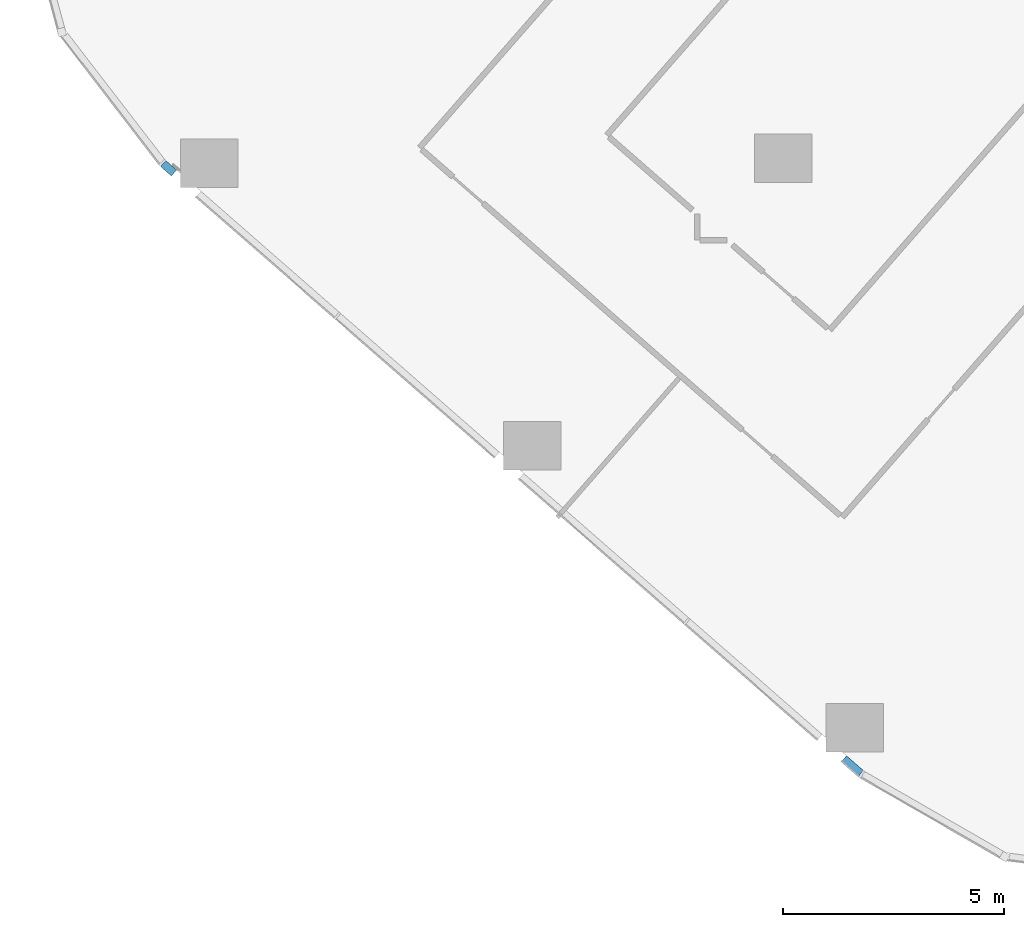
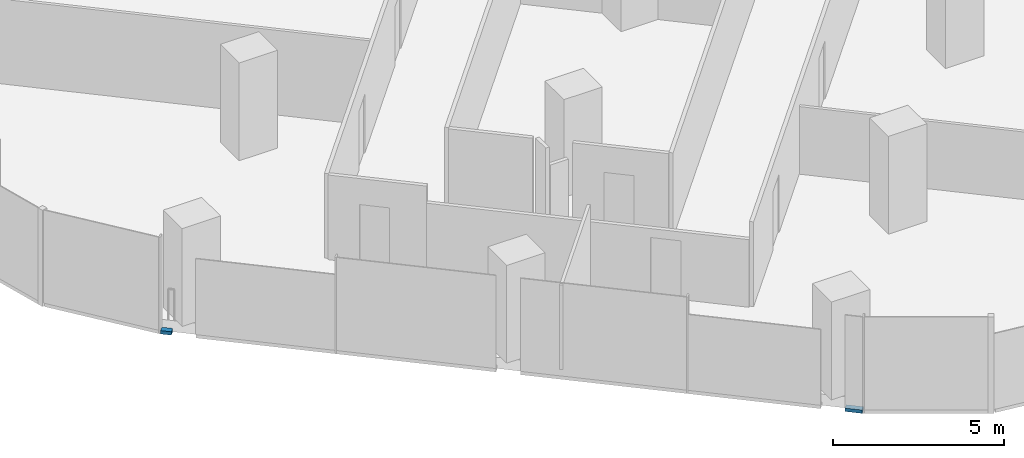
# One storey, part 16 of 38: 2 members, 1 element without a shape of its own.
"""IFC4 building model written with IfcOpenShell, lengths in metres."""

from ifc_helpers import new_model, si_unit, direction, frame, origin, origin_2d, place, context, subcontext, project, spatial, rectangle, extrude, material, material_profile, profile_set, type_object, element, aggregate, save


model = new_model("IFC4")

# Units and contexts
model_context = context("Model", 3, precision=1e-05, world=origin(), true_north=direction((0.0, 1.0)))
body_context = subcontext(model_context, "Body", "Model", "MODEL_VIEW")
ifc_project = project(units=[si_unit("LENGTHUNIT", "METRE"), si_unit("AREAUNIT", "SQUARE_METRE"), si_unit("VOLUMEUNIT", "CUBIC_METRE"), si_unit("PLANEANGLEUNIT", "RADIAN"), si_unit("MASSUNIT", "GRAM", prefix="KILO")], contexts=[model_context])

# Site, building, storey
site_placement = place(None, origin())
site = spatial("IfcSite", under=ifc_project, at=site_placement, CompositionType="ELEMENT")
building_placement = place(site_placement, origin())
building = spatial("IfcBuilding", under=site, at=building_placement, Name="Orlundy Tower", CompositionType="ELEMENT")
storey_placement = place(building_placement, frame((0.0, 0.0, 72.800048828125)))
storey = spatial("IfcBuildingStorey", under=building, at=storey_placement, Name="L17", CompositionType="ELEMENT", Elevation=72.800048828125)

# Curtain wall, members
ifc_material_1 = material(Name="Aluminium bronze anodised", Category="aluminium")
curtain_wall_type = type_object("IfcCurtainWallType", Name="CW1 wall", PredefinedType="NOTDEFINED", material=ifc_material_1)
curtain_wall_placement = place(storey_placement, origin())
curtain_wall = element("IfcCurtainWall", 1, at=curtain_wall_placement, inside=storey, type_object=curtain_wall_type, Name="CW1 run 07", PredefinedType="NOTDEFINED")
ifc_material_2 = material(Name="Aluminium bronze anodised", Category="aluminium")
ifc_material_profile = material_profile(ifc_material_2, rectangle(XDim=0.179931640625, YDim=0.1201171875, at=origin_2d()), Name="CW1 transom 180x120")
ifc_profile_set = profile_set([ifc_material_profile], Name="Aluminium bronze anodised")
member_type = type_object("IfcMemberType", Name="CW1 transom 180x120", PredefinedType="USERDEFINED", material=ifc_profile_set)
member_1_placement = place(storey_placement, frame((-31.33349609375, -51.760009765625, -0.340087890625), z_axis=(-0.752784706073, 0.658266804801, 0.0), x_axis=(-0.658266804801, -0.752784706073, 0.0)))
member_1 = element("IfcMember", 2, at=member_1_placement, type_object=member_type, Name="CW1 transom", ObjectType="TRANSOM", PredefinedType="USERDEFINED", context=body_context, shape_type="SweptSolid", body=[
    extrude(rectangle(XDim=0.179931640625, YDim=0.1201171875, at=origin_2d()), origin(), (0.0, 0.0, 1.0), 0.5087890625),
])
member_2_placement = place(storey_placement, frame((-46.873046875, -38.171875, -0.340087890625), z_axis=(-0.752623362172, 0.658451269808, 0.0), x_axis=(-0.658451269808, -0.752623362172, 0.0)))
member_2 = element("IfcMember", 3, at=member_2_placement, type_object=member_type, Name="CW1 transom", ObjectType="TRANSOM", PredefinedType="USERDEFINED", context=body_context, shape_type="SweptSolid", body=[
    extrude(rectangle(XDim=0.179931640625, YDim=0.1201171875, at=origin_2d()), origin(), (0.0, 0.0, 1.0), 0.323974609375),
])
aggregate(curtain_wall, [member_1, member_2])

save(model, "model.ifc")
